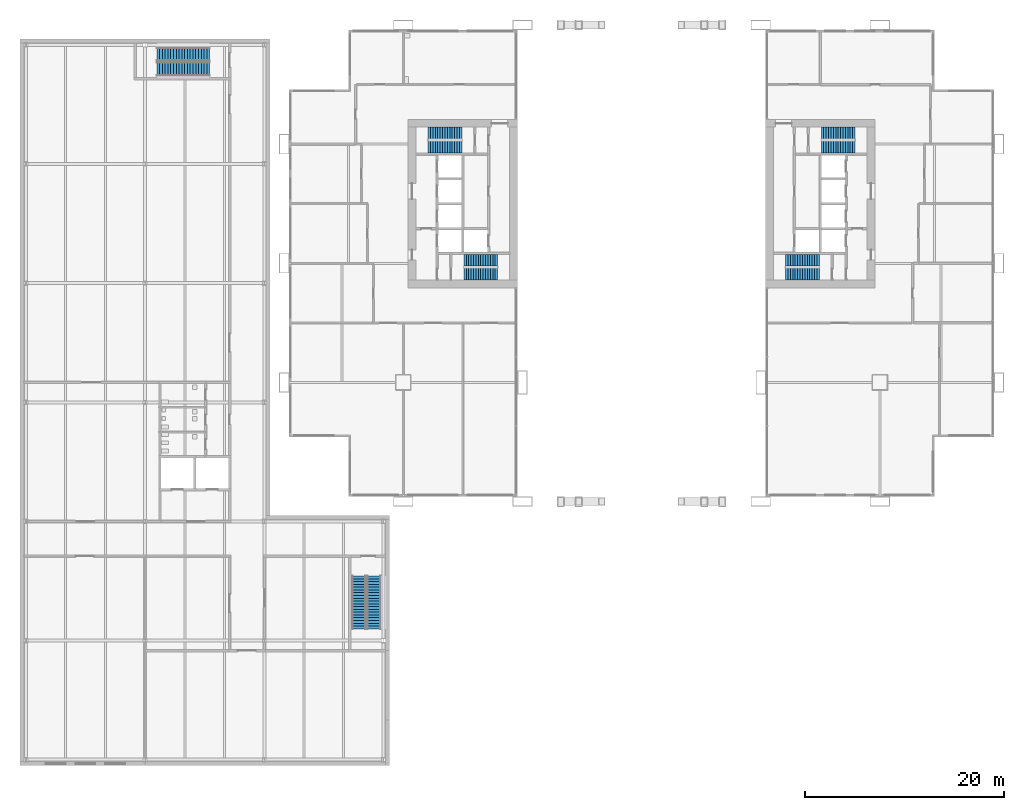
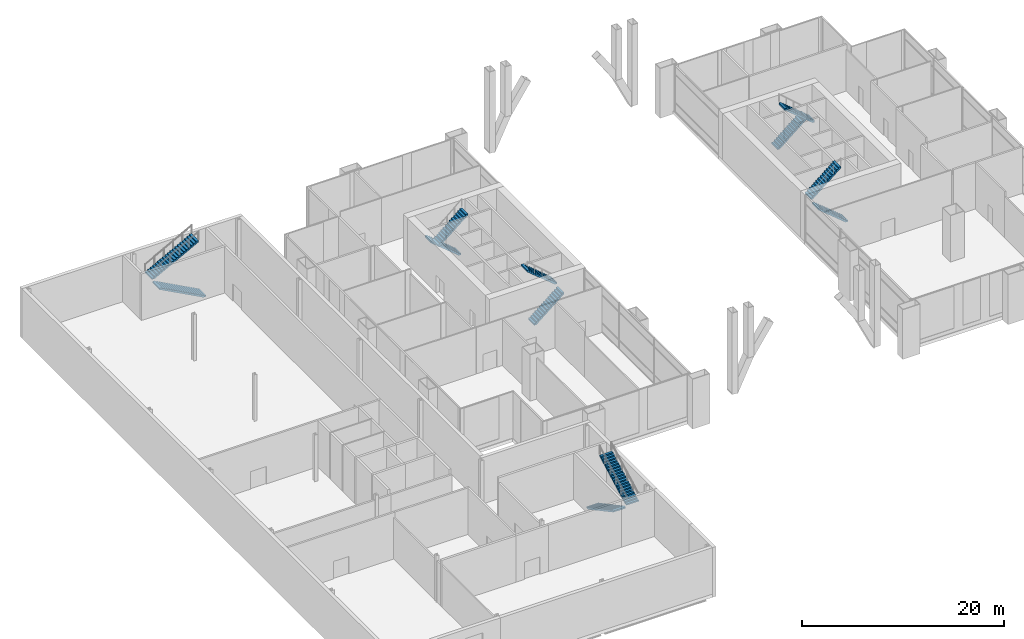
# One storey, part 23 of 25: 12 stair flights, 6 elements without a shape of their own.
"""IFC4 building model written with IfcOpenShell, lengths in metres."""

from ifc_helpers import new_model, si_unit, direction, frame, origin, place, context, subcontext, project, spatial, polyline, outline, extrude, material, type_object, element, aggregate, save


model = new_model("IFC4")

# Units and contexts
model_context = context("Model", 3, precision=1e-05, world=origin(), true_north=direction((0.0, 1.0)))
body_context = subcontext(model_context, "Body", "Model", "MODEL_VIEW")
ifc_project = project(units=[si_unit("LENGTHUNIT", "METRE"), si_unit("AREAUNIT", "SQUARE_METRE"), si_unit("VOLUMEUNIT", "CUBIC_METRE"), si_unit("PLANEANGLEUNIT", "RADIAN"), si_unit("MASSUNIT", "GRAM", prefix="KILO")], contexts=[model_context])

# Site, building, storey
site_placement = place(None, origin())
site = spatial("IfcSite", under=ifc_project, at=site_placement, CompositionType="ELEMENT")
building_placement = place(site_placement, origin())
building = spatial("IfcBuilding", under=site, at=building_placement, Name="Kitamizu Gate Tower and Museum", CompositionType="ELEMENT")
storey_placement = place(building_placement, frame((0.0, 0.0, 12.0)))
storey = spatial("IfcBuildingStorey", under=building, at=storey_placement, Name="L02", CompositionType="ELEMENT", Elevation=12.0)

# Stair, stair flights
ifc_material_1 = material(Name="Concrete Fc30", Category="concrete")
stair_type_1 = type_object("IfcStairType", Name="Museum stair 40 risers", PredefinedType="HALF_TURN_STAIR", material=ifc_material_1)
stair_1_placement = place(storey_placement, origin())
stair_1 = element("IfcStair", 1, at=stair_1_placement, inside=storey, type_object=stair_type_1, Name="Exit stair S", PredefinedType="HALF_TURN_STAIR")
ifc_material_2 = material(Name="Concrete Fc30", Category="concrete")
stair_flight_type_1 = type_object("IfcStairFlightType", Name="Museum stair flight 1400", PredefinedType="STRAIGHT", material=ifc_material_2)
stair_flight_1_placement = place(storey_placement, frame((7.550048828125, -7.5, 0.0), z_axis=(0.0, 0.0, 1.0), x_axis=(0.0, -1.0, 0.0)))
stair_flight_1 = element("IfcStairFlight", 2, at=stair_flight_1_placement, type_object=stair_flight_type_1, Name="MST1 flight 1", NumberOfRisers=20, NumberOfTreads=19, PredefinedType="STRAIGHT", RiserHeight=0.15, TreadLength=0.28, context=body_context, shape_type="SweptSolid", body=[
    extrude(outline(polyline([(0.0, 0.0), (0.0, 0.14990234375), (0.280029296875, 0.14990234375), (0.280029296875, 0.300048828125), (0.56005859375, 0.300048828125), (0.56005859375, 0.449951171875), (0.840087890625, 0.449951171875), (0.840087890625, 0.60009765625), (1.1201171875, 0.60009765625), (1.1201171875, 0.75), (1.39990234375, 0.75), (1.39990234375, 0.89990234375), (1.679931640625, 0.89990234375), (1.679931640625, 1.050048828125), (1.9599609375, 1.050048828125), (1.9599609375, 1.199951171875), (2.239990234375, 1.199951171875), (2.239990234375, 1.35009765625), (2.52001953125, 1.35009765625), (2.52001953125, 1.5), (2.800048828125, 1.5), (2.800048828125, 1.64990234375), (3.080078125, 1.64990234375), (3.080078125, 1.800048828125), (3.360107421875, 1.800048828125), (3.360107421875, 1.949951171875), (3.639892578125, 1.949951171875), (3.639892578125, 2.10009765625), (3.919921875, 2.10009765625), (3.919921875, 2.25), (4.199951171875, 2.25), (4.199951171875, 2.39990234375), (4.47998046875, 2.39990234375), (4.47998046875, 2.550048828125), (4.760009765625, 2.550048828125), (4.760009765625, 2.699951171875), (5.0400390625, 2.699951171875), (5.0400390625, 2.85009765625), (5.320068359375, 2.85009765625), (5.320068359375, 3.0), (5.320068359375, 2.679931640625), (0.3173828125, 0.0), (0.0, 0.0)])), frame((0.0, 0.699951171875, 0.0), z_axis=(0.0, -1.0, 0.0), x_axis=(1.0, 0.0, 0.0)), (0.0, 0.0, 1.0), 1.39990234375),
])
stair_flight_2_placement = place(storey_placement, frame((9.050048828125, -12.820068359375, 3.0), z_axis=(0.0, 0.0, 1.0), x_axis=(0.0, 1.0, 0.0)))
stair_flight_2 = element("IfcStairFlight", 3, at=stair_flight_2_placement, type_object=stair_flight_type_1, Name="MST1 flight 2", NumberOfRisers=20, NumberOfTreads=19, PredefinedType="STRAIGHT", RiserHeight=0.15, TreadLength=0.28, context=body_context, shape_type="SweptSolid", body=[
    extrude(outline(polyline([(0.0, 0.0), (0.0, 0.14990234375), (0.280029296875, 0.14990234375), (0.280029296875, 0.300048828125), (0.56005859375, 0.300048828125), (0.56005859375, 0.449951171875), (0.840087890625, 0.449951171875), (0.840087890625, 0.60009765625), (1.1201171875, 0.60009765625), (1.1201171875, 0.75), (1.39990234375, 0.75), (1.39990234375, 0.89990234375), (1.679931640625, 0.89990234375), (1.679931640625, 1.050048828125), (1.9599609375, 1.050048828125), (1.9599609375, 1.199951171875), (2.239990234375, 1.199951171875), (2.239990234375, 1.35009765625), (2.52001953125, 1.35009765625), (2.52001953125, 1.5), (2.800048828125, 1.5), (2.800048828125, 1.64990234375), (3.080078125, 1.64990234375), (3.080078125, 1.800048828125), (3.360107421875, 1.800048828125), (3.360107421875, 1.949951171875), (3.639892578125, 1.949951171875), (3.639892578125, 2.10009765625), (3.919921875, 2.10009765625), (3.919921875, 2.25), (4.199951171875, 2.25), (4.199951171875, 2.39990234375), (4.47998046875, 2.39990234375), (4.47998046875, 2.550048828125), (4.760009765625, 2.550048828125), (4.760009765625, 2.699951171875), (5.0400390625, 2.699951171875), (5.0400390625, 2.85009765625), (5.320068359375, 2.85009765625), (5.320068359375, 3.0), (5.320068359375, 2.679931640625), (0.3173828125, 0.0), (0.0, 0.0)])), frame((0.0, 0.699951171875, 0.0), z_axis=(0.0, -1.0, 0.0), x_axis=(1.0, 0.0, 0.0)), (0.0, 0.0, 1.0), 1.39990234375),
])
aggregate(stair_1, [stair_flight_1, stair_flight_2])

stair_2_placement = place(storey_placement, origin())
stair_2 = element("IfcStair", 4, at=stair_2_placement, inside=storey, type_object=stair_type_1, Name="Exit stair N", PredefinedType="HALF_TURN_STAIR")
stair_flight_3_placement = place(storey_placement, frame((-7.5, 43.550048828125, 0.0), z_axis=(0.0, 0.0, 1.0), x_axis=(-1.0, 0.0, 0.0)))
stair_flight_3 = element("IfcStairFlight", 5, at=stair_flight_3_placement, type_object=stair_flight_type_1, Name="MST2 flight 1", NumberOfRisers=20, NumberOfTreads=19, PredefinedType="STRAIGHT", RiserHeight=0.15, TreadLength=0.28, context=body_context, shape_type="SweptSolid", body=[
    extrude(outline(polyline([(0.0, 0.0), (0.0, 0.14990234375), (0.280029296875, 0.14990234375), (0.280029296875, 0.300048828125), (0.56005859375, 0.300048828125), (0.56005859375, 0.449951171875), (0.840087890625, 0.449951171875), (0.840087890625, 0.60009765625), (1.1201171875, 0.60009765625), (1.1201171875, 0.75), (1.39990234375, 0.75), (1.39990234375, 0.89990234375), (1.679931640625, 0.89990234375), (1.679931640625, 1.050048828125), (1.9599609375, 1.050048828125), (1.9599609375, 1.199951171875), (2.239990234375, 1.199951171875), (2.239990234375, 1.35009765625), (2.52001953125, 1.35009765625), (2.52001953125, 1.5), (2.800048828125, 1.5), (2.800048828125, 1.64990234375), (3.080078125, 1.64990234375), (3.080078125, 1.800048828125), (3.360107421875, 1.800048828125), (3.360107421875, 1.949951171875), (3.639892578125, 1.949951171875), (3.639892578125, 2.10009765625), (3.919921875, 2.10009765625), (3.919921875, 2.25), (4.199951171875, 2.25), (4.199951171875, 2.39990234375), (4.47998046875, 2.39990234375), (4.47998046875, 2.550048828125), (4.760009765625, 2.550048828125), (4.760009765625, 2.699951171875), (5.0400390625, 2.699951171875), (5.0400390625, 2.85009765625), (5.320068359375, 2.85009765625), (5.320068359375, 3.0), (5.320068359375, 2.679931640625), (0.3173828125, 0.0), (0.0, 0.0)])), frame((0.0, 0.699951171875, 0.0), z_axis=(0.0, -1.0, 0.0), x_axis=(1.0, 0.0, 0.0)), (0.0, 0.0, 1.0), 1.39990234375),
])
stair_flight_4_placement = place(storey_placement, frame((-12.820068359375, 45.050048828125, 3.0), z_axis=(0.0, 0.0, 1.0), x_axis=(1.0, 0.0, 0.0)))
stair_flight_4 = element("IfcStairFlight", 6, at=stair_flight_4_placement, type_object=stair_flight_type_1, Name="MST2 flight 2", NumberOfRisers=20, NumberOfTreads=19, PredefinedType="STRAIGHT", RiserHeight=0.15, TreadLength=0.28, context=body_context, shape_type="SweptSolid", body=[
    extrude(outline(polyline([(0.0, 0.0), (0.0, 0.14990234375), (0.280029296875, 0.14990234375), (0.280029296875, 0.300048828125), (0.56005859375, 0.300048828125), (0.56005859375, 0.449951171875), (0.840087890625, 0.449951171875), (0.840087890625, 0.60009765625), (1.1201171875, 0.60009765625), (1.1201171875, 0.75), (1.39990234375, 0.75), (1.39990234375, 0.89990234375), (1.679931640625, 0.89990234375), (1.679931640625, 1.050048828125), (1.9599609375, 1.050048828125), (1.9599609375, 1.199951171875), (2.239990234375, 1.199951171875), (2.239990234375, 1.35009765625), (2.52001953125, 1.35009765625), (2.52001953125, 1.5), (2.800048828125, 1.5), (2.800048828125, 1.64990234375), (3.080078125, 1.64990234375), (3.080078125, 1.800048828125), (3.360107421875, 1.800048828125), (3.360107421875, 1.949951171875), (3.639892578125, 1.949951171875), (3.639892578125, 2.10009765625), (3.919921875, 2.10009765625), (3.919921875, 2.25), (4.199951171875, 2.25), (4.199951171875, 2.39990234375), (4.47998046875, 2.39990234375), (4.47998046875, 2.550048828125), (4.760009765625, 2.550048828125), (4.760009765625, 2.699951171875), (5.0400390625, 2.699951171875), (5.0400390625, 2.85009765625), (5.320068359375, 2.85009765625), (5.320068359375, 3.0), (5.320068359375, 2.679931640625), (0.3173828125, 0.0), (0.0, 0.0)])), frame((0.0, 0.699951171875, 0.0), z_axis=(0.0, -1.0, 0.0), x_axis=(1.0, 0.0, 0.0)), (0.0, 0.0, 1.0), 1.39990234375),
])
aggregate(stair_2, [stair_flight_3, stair_flight_4])

ifc_material_3 = material(Name="Concrete Fc42", Category="concrete")
stair_type_2 = type_object("IfcStairType", Name="Exit stair 1200 wide 200 rise 243 going", PredefinedType="HALF_TURN_STAIR", material=ifc_material_3)
stair_3_placement = place(storey_placement, origin())
stair_3 = element("IfcStair", 7, at=stair_3_placement, inside=storey, type_object=stair_type_2, Name="Exit stair ST1", PredefinedType="HALF_TURN_STAIR")
ifc_material_4 = material(Name="Concrete Fc42", Category="concrete")
stair_flight_type_2 = type_object("IfcStairFlightType", Name="Stair flight 1200 wide 200 rise 243 going", PredefinedType="STRAIGHT", material=ifc_material_4)
stair_flight_5_placement = place(storey_placement, frame((18.10009765625, 22.89990234375, 0.0), z_axis=(0.0, 0.0, 1.0), x_axis=(1.0, 0.0, 0.0)))
stair_flight_5 = element("IfcStairFlight", 8, at=stair_flight_5_placement, type_object=stair_flight_type_2, Name="ST1 flight 1", NumberOfRisers=15, NumberOfTreads=14, PredefinedType="STRAIGHT", RiserHeight=0.2, TreadLength=0.242857143, context=body_context, shape_type="SweptSolid", body=[
    extrude(outline(polyline([(0.0, 0.0), (0.0, 0.199951171875), (0.242919921875, 0.199951171875), (0.242919921875, 0.39990234375), (0.485595703125, 0.39990234375), (0.485595703125, 0.60009765625), (0.728515625, 0.60009765625), (0.728515625, 0.800048828125), (0.971435546875, 0.800048828125), (0.971435546875, 1.0), (1.21435546875, 1.0), (1.21435546875, 1.199951171875), (1.45703125, 1.199951171875), (1.45703125, 1.39990234375), (1.699951171875, 1.39990234375), (1.699951171875, 1.60009765625), (1.94287109375, 1.60009765625), (1.94287109375, 1.800048828125), (2.185791015625, 1.800048828125), (2.185791015625, 2.0), (2.428466796875, 2.0), (2.428466796875, 2.199951171875), (2.67138671875, 2.199951171875), (2.67138671875, 2.39990234375), (2.914306640625, 2.39990234375), (2.914306640625, 2.60009765625), (3.1572265625, 2.60009765625), (3.1572265625, 2.800048828125), (3.39990234375, 2.800048828125), (3.39990234375, 3.0), (3.39990234375, 2.605712890625), (0.23583984375, 0.0), (0.0, 0.0)])), frame((0.0, 0.60009765625, 0.0), z_axis=(0.0, -1.0, 0.0), x_axis=(1.0, 0.0, 0.0)), (0.0, 0.0, 1.0), 1.199951171875),
])
stair_flight_6_placement = place(storey_placement, frame((21.5, 24.300048828125, 3.0), z_axis=(0.0, 0.0, 1.0), x_axis=(-1.0, 0.0, 0.0)))
stair_flight_6 = element("IfcStairFlight", 9, at=stair_flight_6_placement, type_object=stair_flight_type_2, Name="ST1 flight 2", NumberOfRisers=15, NumberOfTreads=14, PredefinedType="STRAIGHT", RiserHeight=0.2, TreadLength=0.242857143, context=body_context, shape_type="SweptSolid", body=[
    extrude(outline(polyline([(0.0, 0.0), (0.0, 0.199951171875), (0.242919921875, 0.199951171875), (0.242919921875, 0.39990234375), (0.485595703125, 0.39990234375), (0.485595703125, 0.60009765625), (0.728515625, 0.60009765625), (0.728515625, 0.800048828125), (0.971435546875, 0.800048828125), (0.971435546875, 1.0), (1.21435546875, 1.0), (1.21435546875, 1.199951171875), (1.45703125, 1.199951171875), (1.45703125, 1.39990234375), (1.699951171875, 1.39990234375), (1.699951171875, 1.60009765625), (1.94287109375, 1.60009765625), (1.94287109375, 1.800048828125), (2.185791015625, 1.800048828125), (2.185791015625, 2.0), (2.428466796875, 2.0), (2.428466796875, 2.199951171875), (2.67138671875, 2.199951171875), (2.67138671875, 2.39990234375), (2.914306640625, 2.39990234375), (2.914306640625, 2.60009765625), (3.1572265625, 2.60009765625), (3.1572265625, 2.800048828125), (3.39990234375, 2.800048828125), (3.39990234375, 3.0), (3.39990234375, 2.605712890625), (0.23583984375, 0.0), (0.0, 0.0)])), frame((0.0, 0.60009765625, 0.0), z_axis=(0.0, -1.0, 0.0), x_axis=(1.0, 0.0, 0.0)), (0.0, 0.0, 1.0), 1.199951171875),
])
aggregate(stair_3, [stair_flight_5, stair_flight_6])

stair_4_placement = place(storey_placement, origin())
stair_4 = element("IfcStair", 10, at=stair_4_placement, inside=storey, type_object=stair_type_2, Name="Exit stair ST2", PredefinedType="HALF_TURN_STAIR")
stair_flight_7_placement = place(storey_placement, frame((17.89990234375, 37.10009765625, 0.0), z_axis=(0.0, 0.0, 1.0), x_axis=(-1.0, 0.0, 0.0)))
stair_flight_7 = element("IfcStairFlight", 11, at=stair_flight_7_placement, type_object=stair_flight_type_2, Name="ST2 flight 1", NumberOfRisers=15, NumberOfTreads=14, PredefinedType="STRAIGHT", RiserHeight=0.2, TreadLength=0.242857143, context=body_context, shape_type="SweptSolid", body=[
    extrude(outline(polyline([(0.0, 0.0), (0.0, 0.199951171875), (0.242919921875, 0.199951171875), (0.242919921875, 0.39990234375), (0.485595703125, 0.39990234375), (0.485595703125, 0.60009765625), (0.728515625, 0.60009765625), (0.728515625, 0.800048828125), (0.971435546875, 0.800048828125), (0.971435546875, 1.0), (1.21435546875, 1.0), (1.21435546875, 1.199951171875), (1.45703125, 1.199951171875), (1.45703125, 1.39990234375), (1.699951171875, 1.39990234375), (1.699951171875, 1.60009765625), (1.94287109375, 1.60009765625), (1.94287109375, 1.800048828125), (2.185791015625, 1.800048828125), (2.185791015625, 2.0), (2.428466796875, 2.0), (2.428466796875, 2.199951171875), (2.67138671875, 2.199951171875), (2.67138671875, 2.39990234375), (2.914306640625, 2.39990234375), (2.914306640625, 2.60009765625), (3.1572265625, 2.60009765625), (3.1572265625, 2.800048828125), (3.39990234375, 2.800048828125), (3.39990234375, 3.0), (3.39990234375, 2.605712890625), (0.23583984375, 0.0), (0.0, 0.0)])), frame((0.0, 0.60009765625, 0.0), z_axis=(0.0, -1.0, 0.0), x_axis=(1.0, 0.0, 0.0)), (0.0, 0.0, 1.0), 1.199951171875),
])
stair_flight_8_placement = place(storey_placement, frame((14.5, 35.699951171875, 3.0), z_axis=(0.0, 0.0, 1.0), x_axis=(1.0, 0.0, 0.0)))
stair_flight_8 = element("IfcStairFlight", 12, at=stair_flight_8_placement, type_object=stair_flight_type_2, Name="ST2 flight 2", NumberOfRisers=15, NumberOfTreads=14, PredefinedType="STRAIGHT", RiserHeight=0.2, TreadLength=0.242857143, context=body_context, shape_type="SweptSolid", body=[
    extrude(outline(polyline([(0.0, 0.0), (0.0, 0.199951171875), (0.242919921875, 0.199951171875), (0.242919921875, 0.39990234375), (0.485595703125, 0.39990234375), (0.485595703125, 0.60009765625), (0.728515625, 0.60009765625), (0.728515625, 0.800048828125), (0.971435546875, 0.800048828125), (0.971435546875, 1.0), (1.21435546875, 1.0), (1.21435546875, 1.199951171875), (1.45703125, 1.199951171875), (1.45703125, 1.39990234375), (1.699951171875, 1.39990234375), (1.699951171875, 1.60009765625), (1.94287109375, 1.60009765625), (1.94287109375, 1.800048828125), (2.185791015625, 1.800048828125), (2.185791015625, 2.0), (2.428466796875, 2.0), (2.428466796875, 2.199951171875), (2.67138671875, 2.199951171875), (2.67138671875, 2.39990234375), (2.914306640625, 2.39990234375), (2.914306640625, 2.60009765625), (3.1572265625, 2.60009765625), (3.1572265625, 2.800048828125), (3.39990234375, 2.800048828125), (3.39990234375, 3.0), (3.39990234375, 2.605712890625), (0.23583984375, 0.0), (0.0, 0.0)])), frame((0.0, 0.60009765625, 0.0), z_axis=(0.0, -1.0, 0.0), x_axis=(1.0, 0.0, 0.0)), (0.0, 0.0, 1.0), 1.199951171875),
])
aggregate(stair_4, [stair_flight_7, stair_flight_8])

stair_5_placement = place(storey_placement, origin())
stair_5 = element("IfcStair", 13, at=stair_5_placement, inside=storey, type_object=stair_type_2, Name="Exit stair ST3", PredefinedType="HALF_TURN_STAIR")
stair_flight_9_placement = place(storey_placement, frame((53.89990234375, 22.89990234375, 0.0), z_axis=(0.0, 0.0, 1.0), x_axis=(-1.0, 0.0, 0.0)))
stair_flight_9 = element("IfcStairFlight", 14, at=stair_flight_9_placement, type_object=stair_flight_type_2, Name="ST3 flight 1", NumberOfRisers=15, NumberOfTreads=14, PredefinedType="STRAIGHT", RiserHeight=0.2, TreadLength=0.242857143, context=body_context, shape_type="SweptSolid", body=[
    extrude(outline(polyline([(0.0, 0.0), (0.0, 0.199951171875), (0.242919921875, 0.199951171875), (0.242919921875, 0.39990234375), (0.485595703125, 0.39990234375), (0.485595703125, 0.60009765625), (0.728515625, 0.60009765625), (0.728515625, 0.800048828125), (0.971435546875, 0.800048828125), (0.971435546875, 1.0), (1.21435546875, 1.0), (1.21435546875, 1.199951171875), (1.45703125, 1.199951171875), (1.45703125, 1.39990234375), (1.699951171875, 1.39990234375), (1.699951171875, 1.60009765625), (1.94287109375, 1.60009765625), (1.94287109375, 1.800048828125), (2.185791015625, 1.800048828125), (2.185791015625, 2.0), (2.428466796875, 2.0), (2.428466796875, 2.199951171875), (2.67138671875, 2.199951171875), (2.67138671875, 2.39990234375), (2.914306640625, 2.39990234375), (2.914306640625, 2.60009765625), (3.1572265625, 2.60009765625), (3.1572265625, 2.800048828125), (3.39990234375, 2.800048828125), (3.39990234375, 3.0), (3.39990234375, 2.605712890625), (0.23583984375, 0.0), (0.0, 0.0)])), frame((0.0, 0.60009765625, 0.0), z_axis=(0.0, -1.0, 0.0), x_axis=(1.0, 0.0, 0.0)), (0.0, 0.0, 1.0), 1.199951171875),
])
stair_flight_10_placement = place(storey_placement, frame((50.5, 24.300048828125, 3.0), z_axis=(0.0, 0.0, 1.0), x_axis=(1.0, 0.0, 0.0)))
stair_flight_10 = element("IfcStairFlight", 15, at=stair_flight_10_placement, type_object=stair_flight_type_2, Name="ST3 flight 2", NumberOfRisers=15, NumberOfTreads=14, PredefinedType="STRAIGHT", RiserHeight=0.2, TreadLength=0.242857143, context=body_context, shape_type="SweptSolid", body=[
    extrude(outline(polyline([(0.0, 0.0), (0.0, 0.199951171875), (0.242919921875, 0.199951171875), (0.242919921875, 0.39990234375), (0.485595703125, 0.39990234375), (0.485595703125, 0.60009765625), (0.728515625, 0.60009765625), (0.728515625, 0.800048828125), (0.971435546875, 0.800048828125), (0.971435546875, 1.0), (1.21435546875, 1.0), (1.21435546875, 1.199951171875), (1.45703125, 1.199951171875), (1.45703125, 1.39990234375), (1.699951171875, 1.39990234375), (1.699951171875, 1.60009765625), (1.94287109375, 1.60009765625), (1.94287109375, 1.800048828125), (2.185791015625, 1.800048828125), (2.185791015625, 2.0), (2.428466796875, 2.0), (2.428466796875, 2.199951171875), (2.67138671875, 2.199951171875), (2.67138671875, 2.39990234375), (2.914306640625, 2.39990234375), (2.914306640625, 2.60009765625), (3.1572265625, 2.60009765625), (3.1572265625, 2.800048828125), (3.39990234375, 2.800048828125), (3.39990234375, 3.0), (3.39990234375, 2.605712890625), (0.23583984375, 0.0), (0.0, 0.0)])), frame((0.0, 0.60009765625, 0.0), z_axis=(0.0, -1.0, 0.0), x_axis=(1.0, 0.0, 0.0)), (0.0, 0.0, 1.0), 1.199951171875),
])
aggregate(stair_5, [stair_flight_9, stair_flight_10])

stair_6_placement = place(storey_placement, origin())
stair_6 = element("IfcStair", 16, at=stair_6_placement, inside=storey, type_object=stair_type_2, Name="Exit stair ST4", PredefinedType="HALF_TURN_STAIR")
stair_flight_11_placement = place(storey_placement, frame((54.10009765625, 37.10009765625, 0.0), z_axis=(0.0, 0.0, 1.0), x_axis=(1.0, 0.0, 0.0)))
stair_flight_11 = element("IfcStairFlight", 17, at=stair_flight_11_placement, type_object=stair_flight_type_2, Name="ST4 flight 1", NumberOfRisers=15, NumberOfTreads=14, PredefinedType="STRAIGHT", RiserHeight=0.2, TreadLength=0.242857143, context=body_context, shape_type="SweptSolid", body=[
    extrude(outline(polyline([(0.0, 0.0), (0.0, 0.199951171875), (0.242919921875, 0.199951171875), (0.242919921875, 0.39990234375), (0.485595703125, 0.39990234375), (0.485595703125, 0.60009765625), (0.728515625, 0.60009765625), (0.728515625, 0.800048828125), (0.971435546875, 0.800048828125), (0.971435546875, 1.0), (1.21435546875, 1.0), (1.21435546875, 1.199951171875), (1.45703125, 1.199951171875), (1.45703125, 1.39990234375), (1.699951171875, 1.39990234375), (1.699951171875, 1.60009765625), (1.94287109375, 1.60009765625), (1.94287109375, 1.800048828125), (2.185791015625, 1.800048828125), (2.185791015625, 2.0), (2.428466796875, 2.0), (2.428466796875, 2.199951171875), (2.67138671875, 2.199951171875), (2.67138671875, 2.39990234375), (2.914306640625, 2.39990234375), (2.914306640625, 2.60009765625), (3.1572265625, 2.60009765625), (3.1572265625, 2.800048828125), (3.39990234375, 2.800048828125), (3.39990234375, 3.0), (3.39990234375, 2.605712890625), (0.23583984375, 0.0), (0.0, 0.0)])), frame((0.0, 0.60009765625, 0.0), z_axis=(0.0, -1.0, 0.0), x_axis=(1.0, 0.0, 0.0)), (0.0, 0.0, 1.0), 1.199951171875),
])
stair_flight_12_placement = place(storey_placement, frame((57.5, 35.699951171875, 3.0), z_axis=(0.0, 0.0, 1.0), x_axis=(-1.0, 0.0, 0.0)))
stair_flight_12 = element("IfcStairFlight", 18, at=stair_flight_12_placement, type_object=stair_flight_type_2, Name="ST4 flight 2", NumberOfRisers=15, NumberOfTreads=14, PredefinedType="STRAIGHT", RiserHeight=0.2, TreadLength=0.242857143, context=body_context, shape_type="SweptSolid", body=[
    extrude(outline(polyline([(0.0, 0.0), (0.0, 0.199951171875), (0.242919921875, 0.199951171875), (0.242919921875, 0.39990234375), (0.485595703125, 0.39990234375), (0.485595703125, 0.60009765625), (0.728515625, 0.60009765625), (0.728515625, 0.800048828125), (0.971435546875, 0.800048828125), (0.971435546875, 1.0), (1.21435546875, 1.0), (1.21435546875, 1.199951171875), (1.45703125, 1.199951171875), (1.45703125, 1.39990234375), (1.699951171875, 1.39990234375), (1.699951171875, 1.60009765625), (1.94287109375, 1.60009765625), (1.94287109375, 1.800048828125), (2.185791015625, 1.800048828125), (2.185791015625, 2.0), (2.428466796875, 2.0), (2.428466796875, 2.199951171875), (2.67138671875, 2.199951171875), (2.67138671875, 2.39990234375), (2.914306640625, 2.39990234375), (2.914306640625, 2.60009765625), (3.1572265625, 2.60009765625), (3.1572265625, 2.800048828125), (3.39990234375, 2.800048828125), (3.39990234375, 3.0), (3.39990234375, 2.605712890625), (0.23583984375, 0.0), (0.0, 0.0)])), frame((0.0, 0.60009765625, 0.0), z_axis=(0.0, -1.0, 0.0), x_axis=(1.0, 0.0, 0.0)), (0.0, 0.0, 1.0), 1.199951171875),
])
aggregate(stair_6, [stair_flight_11, stair_flight_12])

save(model, "model.ifc")
